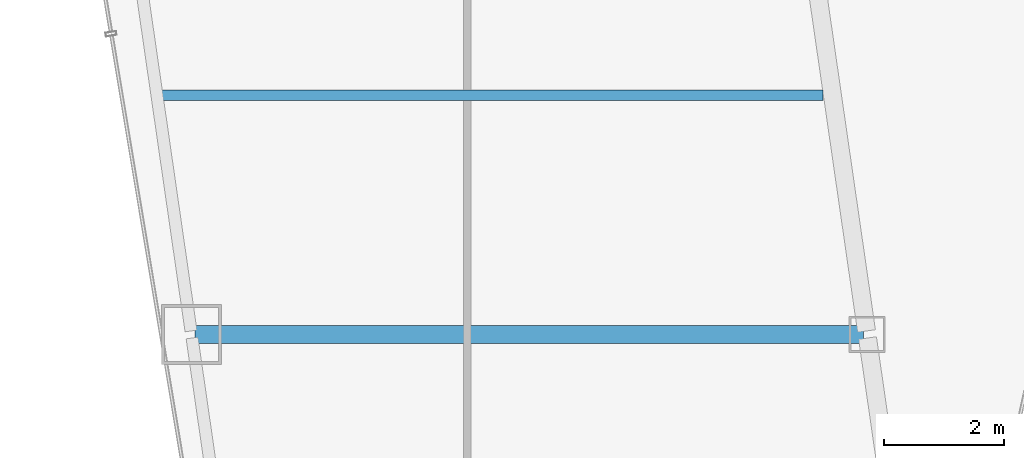
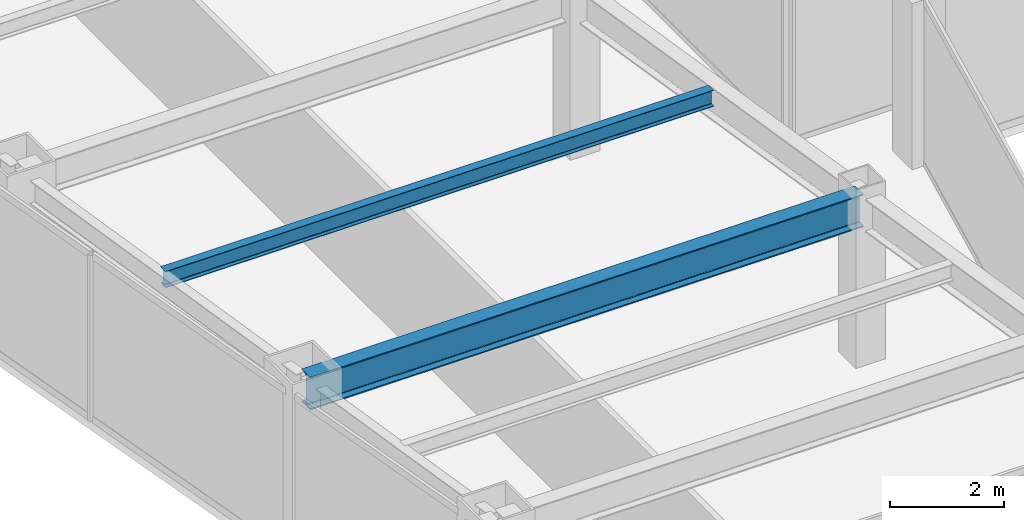
# One storey, part 4 of 36: 2 beams.
"""IFC4 building model written with IfcOpenShell, lengths in metres."""

from ifc_helpers import new_model, si_unit, direction, frame, origin, origin_2d, place, context, subcontext, project, spatial, i_section, extrude, material, material_profile, profile_set, type_object, element, save


model = new_model("IFC4")

# Units and contexts
model_context = context("Model", 3, precision=1e-05, world=origin(), true_north=direction((0.0, 1.0)))
body_context = subcontext(model_context, "Body", "Model", "MODEL_VIEW")
ifc_project = project(units=[si_unit("LENGTHUNIT", "METRE"), si_unit("AREAUNIT", "SQUARE_METRE"), si_unit("VOLUMEUNIT", "CUBIC_METRE"), si_unit("PLANEANGLEUNIT", "RADIAN"), si_unit("MASSUNIT", "GRAM", prefix="KILO")], contexts=[model_context])

# Site, building, storey
site_placement = place(None, origin())
site = spatial("IfcSite", under=ifc_project, at=site_placement, CompositionType="ELEMENT")
building_placement = place(site_placement, origin())
building = spatial("IfcBuilding", under=site, at=building_placement, Name="Saevonmaru Cultural Tower", CompositionType="ELEMENT")
storey_placement = place(building_placement, frame((0.0, 0.0, 148.60009765625)))
storey = spatial("IfcBuildingStorey", under=building, at=storey_placement, Name="L32", CompositionType="ELEMENT", Elevation=148.60009765625)

# Beams
ifc_material = material(Name="Steel SM355", Category="steel")
ifc_material_profile_1 = material_profile(ifc_material, i_section(OverallWidth=0.300048828125, OverallDepth=0.699951171875, WebThickness=0.012939453125, FlangeThickness=0.02392578125, FilletRadius=0.02587890625, at=origin_2d()), Name="H-700x300x13x24")
ifc_profile_set_1 = profile_set([ifc_material_profile_1], Name="Steel SM355")
beam_type_1 = type_object("IfcBeamType", Name="BM-G-H700", PredefinedType="BEAM", material=ifc_profile_set_1)
beam_1_placement = place(storey_placement, frame((10.68798828125, 16.0, 3.199951171875), z_axis=(1.0, 0.0, 0.0), x_axis=(0.0, 1.0, 0.0)))
element("IfcBeam", 1, at=beam_1_placement, inside=storey, type_object=beam_type_1, Name="L32 West Wing Transverse Girder 2", PredefinedType="BEAM", context=body_context, shape_type="SweptSolid", body=[
    extrude(i_section(OverallWidth=0.300048828125, OverallDepth=0.699951171875, WebThickness=0.012939453125, FlangeThickness=0.02392578125, FilletRadius=0.02587890625, at=origin_2d()), origin(), (0.0, 0.0, 1.0), 11.179931640625),
])
ifc_material_profile_2 = material_profile(ifc_material, i_section(OverallWidth=0.175048828125, OverallDepth=0.35009765625, WebThickness=0.007080078125, FlangeThickness=0.010986328125, FilletRadius=0.012939453125, at=origin_2d()), Name="H-350x175x7x11")
ifc_profile_set_2 = profile_set([ifc_material_profile_2], Name="Steel SM355")
beam_type_2 = type_object("IfcBeamType", Name="BM-J-H350", PredefinedType="JOIST", material=ifc_profile_set_2)
beam_2_placement = place(storey_placement, frame((10.110107421875, 20.0, 3.375), z_axis=(1.0, 0.0, 0.0), x_axis=(0.0, 1.0, 0.0)))
element("IfcBeam", 2, at=beam_2_placement, inside=storey, type_object=beam_type_2, Name="L32 West Wing Floor Joist 2", PredefinedType="JOIST", context=body_context, shape_type="SweptSolid", body=[
    extrude(i_section(OverallWidth=0.175048828125, OverallDepth=0.35009765625, WebThickness=0.007080078125, FlangeThickness=0.010986328125, FilletRadius=0.012939453125, at=origin_2d()), origin(), (0.0, 0.0, 1.0), 11.081787109375),
])

save(model, "model.ifc")
